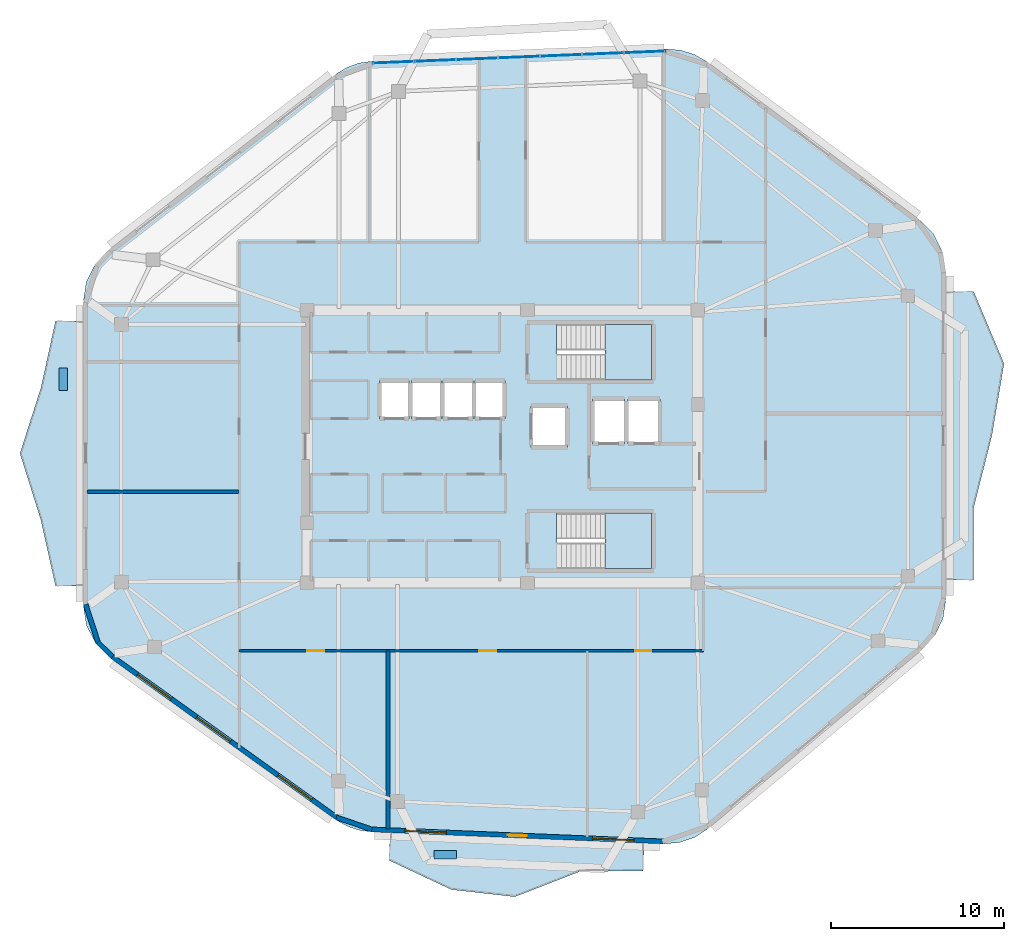
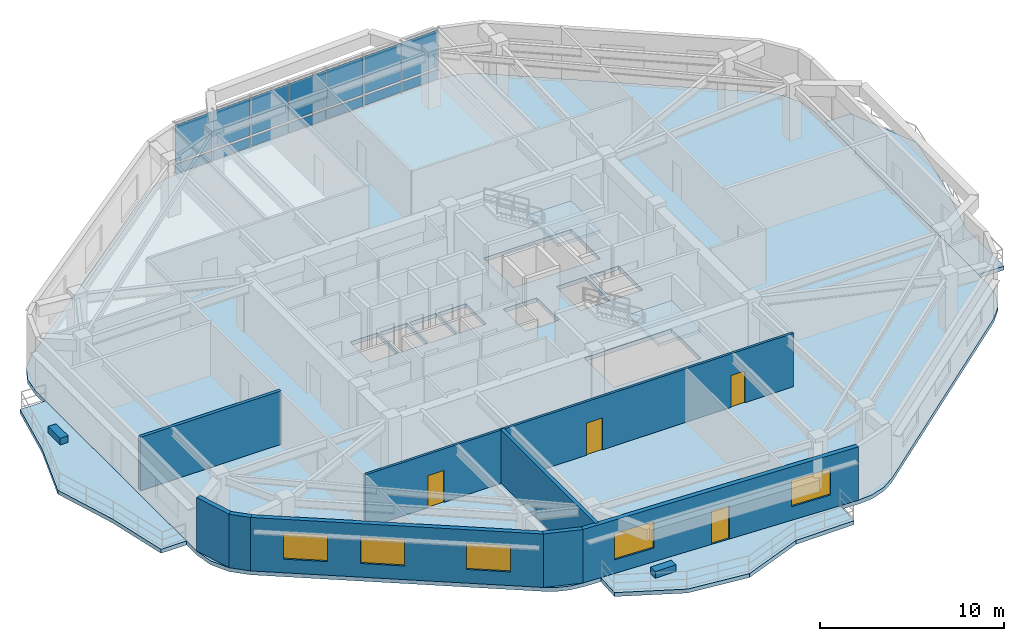
# One storey, part 5 of 12: 16 plates, 8 walls, 6 slabs, 5 windows, 4 doors, 9 openings, 3 elements without a shape of their own.
"""IFC4 building model written with IfcOpenShell, lengths in metres."""

from ifc_helpers import new_model, si_unit, direction, frame, frame_2d, origin, origin_2d, place, context, subcontext, project, spatial, polyline, rectangle, outline, extrude, material, layer, layer_set, type_object, element, fill, aggregate, save


model = new_model("IFC4")

# Units and contexts
model_context = context("Model", 3, precision=1e-05, world=origin(), true_north=direction((0.0, 1.0)))
body_context = subcontext(model_context, "Body", "Model", "MODEL_VIEW")
ifc_project = project(units=[si_unit("LENGTHUNIT", "METRE"), si_unit("AREAUNIT", "SQUARE_METRE"), si_unit("VOLUMEUNIT", "CUBIC_METRE"), si_unit("PLANEANGLEUNIT", "RADIAN"), si_unit("MASSUNIT", "GRAM", prefix="KILO")], contexts=[model_context])

# Site, building, storey
site_placement = place(None, origin())
site = spatial("IfcSite", under=ifc_project, at=site_placement, CompositionType="ELEMENT")
building_placement = place(site_placement, origin())
building = spatial("IfcBuilding", under=site, at=building_placement, Name="Zulverin Broadcast Headquarters", CompositionType="ELEMENT")
storey_placement = place(building_placement, frame((0.0, 0.0, 293.39990234375)))
storey = spatial("IfcBuildingStorey", under=building, at=storey_placement, Name="L75", CompositionType="ELEMENT", Elevation=293.39990234375)

# Curtain wall, plates
ifc_material_1 = material(Name="High-zone solar-control unitised curtain wall", Category="aluminium")
curtain_wall_type = type_object("IfcCurtainWallType", Name="CW-TWR-UPP", PredefinedType="USERDEFINED", material=ifc_material_1)
curtain_wall_placement = place(storey_placement, origin())
curtain_wall = element("IfcCurtainWall", 1, at=curtain_wall_placement, inside=storey, type_object=curtain_wall_type, Name="L75 Unitised Curtain Wall CW-L75-E5", ObjectType="UNITISED CURTAIN WALL", PredefinedType="USERDEFINED")
ifc_material_2 = material(Name="Low-E double-glazed pale-silver vision glass", Category="glass")
ifc_layer_1 = layer(ifc_material_2, 0.035888671875, Name="Low-E double-glazed pale-silver vision glass", Category="glass")
ifc_layer_set_1 = layer_set([ifc_layer_1], Name="Low-E double-glazed pale-silver vision glass")
plate_type_1 = type_object("IfcPlateType", Name="CW-PNL-GLZ", PredefinedType="CURTAIN_PANEL", material=ifc_layer_set_1)
plate_1_placement = place(storey_placement, frame((45.205078125, 47.975341796875, 0.914794921875), z_axis=(0.0, 0.0, 1.0), x_axis=(-0.999156343069, -0.041068261531, 0.0)))
plate_1 = element("IfcPlate", 2, at=plate_1_placement, type_object=plate_type_1, Name="CW-L75-E5 Vision Panel 00", PredefinedType="CURTAIN_PANEL", context=body_context, shape_type="SweptSolid", body=[
    extrude(rectangle(XDim=2.377685546875, YDim=0.035888671875, at=origin_2d()), origin(), (0.0, 0.0, 1.0), 2.4853515625),
])
plate_2_placement = place(storey_placement, frame((42.78955078125, 47.8759765625, 0.914794921875), z_axis=(0.0, 0.0, 1.0), x_axis=(-0.999156343069, -0.041068261531, 0.0)))
plate_2 = element("IfcPlate", 3, at=plate_2_placement, type_object=plate_type_1, Name="CW-L75-E5 Vision Panel 01", PredefinedType="CURTAIN_PANEL", context=body_context, shape_type="SweptSolid", body=[
    extrude(rectangle(XDim=2.377685546875, YDim=0.035888671875, at=origin_2d()), origin(), (0.0, 0.0, 1.0), 2.4853515625),
])
plate_3_placement = place(storey_placement, frame((40.3740234375, 47.776611328125, 0.914794921875), z_axis=(0.0, 0.0, 1.0), x_axis=(-0.999156343069, -0.041068261531, 0.0)))
plate_3 = element("IfcPlate", 4, at=plate_3_placement, type_object=plate_type_1, Name="CW-L75-E5 Vision Panel 02", PredefinedType="CURTAIN_PANEL", context=body_context, shape_type="SweptSolid", body=[
    extrude(rectangle(XDim=2.377685546875, YDim=0.035888671875, at=origin_2d()), origin(), (0.0, 0.0, 1.0), 2.4853515625),
])
plate_4_placement = place(storey_placement, frame((37.95849609375, 47.677490234375, 0.914794921875), z_axis=(0.0, 0.0, 1.0), x_axis=(-0.999156343069, -0.041068261531, 0.0)))
plate_4 = element("IfcPlate", 5, at=plate_4_placement, type_object=plate_type_1, Name="CW-L75-E5 Vision Panel 03", PredefinedType="CURTAIN_PANEL", context=body_context, shape_type="SweptSolid", body=[
    extrude(rectangle(XDim=2.377685546875, YDim=0.035888671875, at=origin_2d()), origin(), (0.0, 0.0, 1.0), 2.4853515625),
])
plate_5_placement = place(storey_placement, frame((35.54296875, 47.578125, 0.914794921875), z_axis=(0.0, 0.0, 1.0), x_axis=(-0.999156343069, -0.041068261531, 0.0)))
plate_5 = element("IfcPlate", 6, at=plate_5_placement, type_object=plate_type_1, Name="CW-L75-E5 Vision Panel 04", PredefinedType="CURTAIN_PANEL", context=body_context, shape_type="SweptSolid", body=[
    extrude(rectangle(XDim=2.377685546875, YDim=0.035888671875, at=origin_2d()), origin(), (0.0, 0.0, 1.0), 2.4853515625),
])
plate_6_placement = place(storey_placement, frame((33.12744140625, 47.478759765625, 0.914794921875), z_axis=(0.0, 0.0, 1.0), x_axis=(-0.999156343069, -0.041068261531, 0.0)))
plate_6 = element("IfcPlate", 7, at=plate_6_placement, type_object=plate_type_1, Name="CW-L75-E5 Vision Panel 05", PredefinedType="CURTAIN_PANEL", context=body_context, shape_type="SweptSolid", body=[
    extrude(rectangle(XDim=2.377685546875, YDim=0.035888671875, at=origin_2d()), origin(), (0.0, 0.0, 1.0), 2.4853515625),
])
plate_7_placement = place(storey_placement, frame((30.7119140625, 47.37939453125, 0.914794921875), z_axis=(0.0, 0.0, 1.0), x_axis=(-0.999156343069, -0.041068261531, 0.0)))
plate_7 = element("IfcPlate", 8, at=plate_7_placement, type_object=plate_type_1, Name="CW-L75-E5 Vision Panel 06", PredefinedType="CURTAIN_PANEL", context=body_context, shape_type="SweptSolid", body=[
    extrude(rectangle(XDim=2.377685546875, YDim=0.035888671875, at=origin_2d()), origin(), (0.0, 0.0, 1.0), 2.4853515625),
])
ifc_material_3 = material(Name="Insulated brushed pale-aluminium spandrel cassette", Category="aluminium")
ifc_layer_2 = layer(ifc_material_3, 0.050048828125, Name="Insulated brushed pale-aluminium spandrel cassette", Category="aluminium")
ifc_layer_set_2 = layer_set([ifc_layer_2], Name="Insulated brushed pale-aluminium spandrel cassette")
plate_type_2 = type_object("IfcPlateType", Name="CW-PNL-SPN", PredefinedType="CURTAIN_PANEL", material=ifc_layer_set_2)
plate_8_placement = place(storey_placement, frame((45.205078125, 47.975341796875, 0.14013671875), z_axis=(0.0, 0.0, 1.0), x_axis=(-0.999156343069, -0.041068261531, 0.0)))
plate_8 = element("IfcPlate", 9, at=plate_8_placement, type_object=plate_type_2, Name="CW-L75-E5 Spandrel Cassette 00", PredefinedType="CURTAIN_PANEL", context=body_context, shape_type="SweptSolid", body=[
    extrude(rectangle(XDim=2.377685546875, YDim=0.050048828125, at=origin_2d()), origin(), (0.0, 0.0, 1.0), 0.64453125),
])
plate_9_placement = place(storey_placement, frame((42.78955078125, 47.8759765625, 0.14013671875), z_axis=(0.0, 0.0, 1.0), x_axis=(-0.999156343069, -0.041068261531, 0.0)))
plate_9 = element("IfcPlate", 10, at=plate_9_placement, type_object=plate_type_2, Name="CW-L75-E5 Spandrel Cassette 01", PredefinedType="CURTAIN_PANEL", context=body_context, shape_type="SweptSolid", body=[
    extrude(rectangle(XDim=2.377685546875, YDim=0.050048828125, at=origin_2d()), origin(), (0.0, 0.0, 1.0), 0.64453125),
])
plate_10_placement = place(storey_placement, frame((40.3740234375, 47.776611328125, 0.14013671875), z_axis=(0.0, 0.0, 1.0), x_axis=(-0.999156343069, -0.041068261531, 0.0)))
plate_10 = element("IfcPlate", 11, at=plate_10_placement, type_object=plate_type_2, Name="CW-L75-E5 Spandrel Cassette 02", PredefinedType="CURTAIN_PANEL", context=body_context, shape_type="SweptSolid", body=[
    extrude(rectangle(XDim=2.377685546875, YDim=0.050048828125, at=origin_2d()), origin(), (0.0, 0.0, 1.0), 0.64453125),
])
plate_11_placement = place(storey_placement, frame((37.95849609375, 47.677490234375, 0.14013671875), z_axis=(0.0, 0.0, 1.0), x_axis=(-0.999156343069, -0.041068261531, 0.0)))
plate_11 = element("IfcPlate", 12, at=plate_11_placement, type_object=plate_type_2, Name="CW-L75-E5 Spandrel Cassette 03", PredefinedType="CURTAIN_PANEL", context=body_context, shape_type="SweptSolid", body=[
    extrude(rectangle(XDim=2.377685546875, YDim=0.050048828125, at=origin_2d()), origin(), (0.0, 0.0, 1.0), 0.64453125),
])
plate_12_placement = place(storey_placement, frame((35.54296875, 47.578125, 0.14013671875), z_axis=(0.0, 0.0, 1.0), x_axis=(-0.999156343069, -0.041068261531, 0.0)))
plate_12 = element("IfcPlate", 13, at=plate_12_placement, type_object=plate_type_2, Name="CW-L75-E5 Spandrel Cassette 04", PredefinedType="CURTAIN_PANEL", context=body_context, shape_type="SweptSolid", body=[
    extrude(rectangle(XDim=2.377685546875, YDim=0.050048828125, at=origin_2d()), origin(), (0.0, 0.0, 1.0), 0.64453125),
])
plate_13_placement = place(storey_placement, frame((33.12744140625, 47.478759765625, 0.14013671875), z_axis=(0.0, 0.0, 1.0), x_axis=(-0.999156343069, -0.041068261531, 0.0)))
plate_13 = element("IfcPlate", 14, at=plate_13_placement, type_object=plate_type_2, Name="CW-L75-E5 Spandrel Cassette 05", PredefinedType="CURTAIN_PANEL", context=body_context, shape_type="SweptSolid", body=[
    extrude(rectangle(XDim=2.377685546875, YDim=0.050048828125, at=origin_2d()), origin(), (0.0, 0.0, 1.0), 0.64453125),
])
plate_14_placement = place(storey_placement, frame((30.7119140625, 47.37939453125, 0.14013671875), z_axis=(0.0, 0.0, 1.0), x_axis=(-0.999156343069, -0.041068261531, 0.0)))
plate_14 = element("IfcPlate", 15, at=plate_14_placement, type_object=plate_type_2, Name="CW-L75-E5 Spandrel Cassette 06", PredefinedType="CURTAIN_PANEL", context=body_context, shape_type="SweptSolid", body=[
    extrude(rectangle(XDim=2.377685546875, YDim=0.050048828125, at=origin_2d()), origin(), (0.0, 0.0, 1.0), 0.64453125),
])
aggregate(curtain_wall, [plate_8, plate_1, plate_9, plate_2, plate_10, plate_3, plate_11, plate_4, plate_12, plate_5, plate_13, plate_6, plate_14, plate_7])

# Plates
ifc_material_4 = material(Name="Precast concrete C45/55", Category="concrete")
ifc_layer_3 = layer(ifc_material_4, 0.449951171875, Name="Precast concrete C45/55", Category="concrete")
ifc_layer_set_3 = layer_set([ifc_layer_3], Name="Precast concrete C45/55")
plate_type_3 = type_object("IfcPlateType", Name="PT-01_PRECAST_GFRC_TREE_PLANTER", PredefinedType="USERDEFINED", material=ifc_layer_set_3)
for number, where, z_axis, x_axis, name in (
    (16, (33.700439453125, 1.626708984375, -0.0048828125), (0.0, 0.0, 1.0), (1.0, 0.0, 0.0), "L75 Precast GFRC Tree Planter BAL_S"),
    (17, (11.64990234375, 29.082763671875, -0.0048828125), (0.0, 0.0, 1.0), (0.0, 1.0, 0.0), "L75 Precast GFRC Tree Planter BAL_W"),
):
    element("IfcPlate", number, at=place(storey_placement, frame(where, z_axis=z_axis, x_axis=x_axis)), inside=storey, type_object=plate_type_3, Name=name, ObjectType="PLANTER", PredefinedType="USERDEFINED", context=body_context, shape_type="SweptSolid", body=[
        extrude(rectangle(XDim=1.300048828125, YDim=0.5, at=origin_2d()), origin(), (0.0, 0.0, 1.0), 0.449951171875),
    ])

# Slabs
ifc_material_5 = material(Name="Concrete C40/50", Category="concrete")
ifc_layer_4 = layer(ifc_material_5, 0.260009765625, Name="Concrete C40/50", Category="concrete")
ifc_layer_set_4 = layer_set([ifc_layer_4], Name="Concrete C40/50")
slab_type_1 = type_object("IfcSlabType", Name="SLB-BAL-260", PredefinedType="FLOOR", material=ifc_layer_set_4)
slab_1_placement = place(storey_placement, frame((0.0, 0.0, -0.260009765625)))
element("IfcSlab", 18, at=slab_1_placement, inside=storey, type_object=slab_type_1, Name="L75 Cantilevered Planted Balcony Slab BAL_E", PredefinedType="FLOOR", context=body_context, shape_type="SweptSolid", body=[
    extrude(outline(polyline([(62.60009765625, 34.150146484375), (62.60009765625, 17.49560546875), (64.199951171875, 17.49560546875), (64.199951171875, 21.6591796875), (65.25390625, 25.82275390625), (65.9541015625, 29.986328125), (64.199951171875, 34.150146484375), (62.60009765625, 34.150146484375)])), origin(), (0.0, 0.0, 1.0), 0.260009765625),
])
slab_2_placement = place(storey_placement, frame((0.0, 0.0, -0.260009765625)))
element("IfcSlab", 19, at=slab_2_placement, inside=storey, type_object=slab_type_1, Name="L75 Cantilevered Planted Balcony Slab BAL_S", PredefinedType="FLOOR", context=body_context, shape_type="SweptSolid", body=[
    extrude(outline(polyline([(45.185302734375, 2.305419921875), (30.521728515625, 2.908203125), (30.4560546875, 1.3095703125), (34.05859375, -0.380615234375), (37.7138671875, -0.79296875), (41.445556640625, 0.658203125), (45.11962890625, 0.706787109375), (45.185302734375, 2.305419921875)])), origin(), (0.0, 0.0, 1.0), 0.260009765625),
])
slab_3_placement = place(storey_placement, frame((0.0, 0.0, -0.260009765625)))
element("IfcSlab", 20, at=slab_3_placement, inside=storey, type_object=slab_type_1, Name="L75 Cantilevered Planted Balcony Slab BAL_W", PredefinedType="FLOOR", context=body_context, shape_type="SweptSolid", body=[
    extrude(outline(polyline([(12.800048828125, 17.151611328125), (12.800048828125, 32.447998046875), (11.199951171875, 32.447998046875), (10.368408203125, 28.623779296875), (9.14990234375, 24.7998046875), (10.349853515625, 20.975830078125), (11.199951171875, 17.151611328125), (12.800048828125, 17.151611328125)])), origin(), (0.0, 0.0, 1.0), 0.260009765625),
])

# Stair, slab
stair_type = type_object("IfcStairType", Name="ST-CORE-1500", PredefinedType="HALF_TURN_STAIR", material=ifc_material_5)
stair_1_placement = place(storey_placement, origin())
stair_1 = element("IfcStair", 21, at=stair_1_placement, inside=storey, type_object=stair_type, Name="L75 Core Exit Stair ST-1", PredefinedType="HALF_TURN_STAIR")
ifc_layer_5 = layer(ifc_material_5, 0.199951171875, Name="Concrete C40/50", Category="concrete")
ifc_layer_set_5 = layer_set([ifc_layer_5], Name="Concrete C40/50")
slab_type_2 = type_object("IfcSlabType", Name="SLB-ST-LND200", PredefinedType="LANDING", material=ifc_layer_set_5)
slab_4_placement = place(storey_placement, frame((0.0, 0.0, 1.7001953125)))
slab_4 = element("IfcSlab", 22, at=slab_4_placement, type_object=slab_type_2, Name="ST-1 landing 1", PredefinedType="LANDING", context=body_context, shape_type="SweptSolid", body=[
    extrude(outline(polyline([(42.929931640625, 29.050048828125), (45.60009765625, 29.050048828125), (45.60009765625, 32.25), (42.929931640625, 32.25), (42.929931640625, 29.050048828125)])), origin(), (0.0, 0.0, 1.0), 0.199951171875),
])
aggregate(stair_1, [slab_4])

stair_2_placement = place(storey_placement, origin())
stair_2 = element("IfcStair", 23, at=stair_2_placement, inside=storey, type_object=stair_type, Name="L75 Core Exit Stair ST-2", PredefinedType="HALF_TURN_STAIR")
slab_5_placement = place(storey_placement, frame((0.0, 0.0, 1.7001953125)))
slab_5 = element("IfcSlab", 24, at=slab_5_placement, type_object=slab_type_2, Name="ST-2 landing 1", PredefinedType="LANDING", context=body_context, shape_type="SweptSolid", body=[
    extrude(outline(polyline([(42.929931640625, 18.14990234375), (45.60009765625, 18.14990234375), (45.60009765625, 21.35009765625), (42.929931640625, 21.35009765625), (42.929931640625, 18.14990234375)])), origin(), (0.0, 0.0, 1.0), 0.199951171875),
])
aggregate(stair_2, [slab_5])

# Slab
ifc_layer_6 = layer(ifc_material_5, 0.260009765625, Name="Concrete C40/50", Category="concrete")
ifc_layer_set_6 = layer_set([ifc_layer_6], Name="Concrete C40/50")
slab_type_3 = type_object("IfcSlabType", Name="SLB-TWR-260", PredefinedType="FLOOR", material=ifc_layer_set_6)
slab_6_placement = place(storey_placement, frame((0.0, 0.0, -0.260009765625)))
element("IfcSlab", 25, at=slab_6_placement, inside=storey, type_object=slab_type_3, Name="L75 Main Structural Floor Slab", PredefinedType="FLOOR", context=body_context, shape_type="SweptSolid", body=[
    extrude(outline(polyline([(27.364990234375, 3.66162109375), (28.00048828125, 3.293212890625), (28.695068359375, 3.05419921875), (29.422607421875, 2.953369140625), (46.284423828125, 2.26025390625), (47.21337890625, 2.33642578125), (48.095703125, 2.63671875), (48.878662109375, 3.142333984375), (61.238037109375, 13.480712890625), (61.97265625, 14.30419921875), (62.439697265625, 15.3037109375), (62.60009765625, 16.3955078125), (62.60009765625, 35.25), (62.418212890625, 36.4111328125), (61.890625, 37.4609375), (61.0673828125, 38.299560546875), (48.831298828125, 47.3974609375), (48.087646484375, 47.8291015625), (47.265869140625, 48.08251953125), (46.407958984375, 48.144775390625), (29.499267578125, 47.44970703125), (28.726318359375, 47.337646484375), (27.992919921875, 47.070068359375), (27.329345703125, 46.657958984375), (14.274169921875, 36.552978515625), (13.481201171875, 35.71875), (12.974365234375, 34.685546875), (12.800048828125, 33.548095703125), (12.800048828125, 16.0517578125), (12.988525390625, 14.86962890625), (13.535400390625, 13.804931640625), (14.386474609375, 12.963134765625), (27.364990234375, 3.66162109375)]), holes=[polyline([(40.155029296875, 30.75), (40.130126953125, 30.75), (40.130126953125, 32.25), (45.60009765625, 32.25), (45.60009765625, 29.050048828125), (40.155029296875, 29.050048828125), (40.155029296875, 30.75)]), polyline([(40.155029296875, 19.85009765625), (40.130126953125, 19.85009765625), (40.130126953125, 21.35009765625), (45.60009765625, 21.35009765625), (45.60009765625, 18.14990234375), (40.155029296875, 18.14990234375), (40.155029296875, 19.85009765625)]), polyline([(29.89990234375, 26.800048828125), (31.6201171875, 26.800048828125), (31.6201171875, 29.0), (29.89990234375, 29.0), (29.89990234375, 26.800048828125)]), polyline([(31.739990234375, 26.800048828125), (33.4599609375, 26.800048828125), (33.4599609375, 29.0), (31.739990234375, 29.0), (31.739990234375, 26.800048828125)]), polyline([(33.580078125, 26.800048828125), (35.300048828125, 26.800048828125), (35.300048828125, 29.0), (33.580078125, 29.0), (33.580078125, 26.800048828125)]), polyline([(35.419921875, 26.800048828125), (37.139892578125, 26.800048828125), (37.139892578125, 29.0), (35.419921875, 29.0), (35.419921875, 26.800048828125)]), polyline([(42.199951171875, 25.35009765625), (44.050048828125, 25.35009765625), (44.050048828125, 27.949951171875), (42.199951171875, 27.949951171875), (42.199951171875, 25.35009765625)]), polyline([(44.25, 25.35009765625), (46.10009765625, 25.35009765625), (46.10009765625, 27.949951171875), (44.25, 27.949951171875), (44.25, 25.35009765625)]), polyline([(38.64990234375, 25.14990234375), (40.75, 25.14990234375), (40.75, 27.550048828125), (38.64990234375, 27.550048828125), (38.64990234375, 25.14990234375)])]), origin(), (0.0, 0.0, 1.0), 0.260009765625),
])

# Walls
ifc_material_6 = material(Name="Acoustic drywall steel stud", Category="steel")
ifc_layer_7 = layer(ifc_material_6, 0.199951171875, Name="Acoustic drywall steel stud", Category="steel")
ifc_layer_set_7 = layer_set([ifc_layer_7], Name="Acoustic drywall steel stud")
wall_type_1 = type_object("IfcWallType", Name="WL-ACOU-200", PredefinedType="PARTITIONING", material=ifc_layer_set_7)
wall_1_placement = place(storey_placement, frame((13.0048828125, 22.60009765625, 0.0), z_axis=(0.0, 0.0, 1.0), x_axis=(1.0, 0.0, 0.0)))
element("IfcWall", 26, at=wall_1_placement, inside=storey, type_object=wall_type_1, Name="L75 Room Partition Wall RP-12", PredefinedType="PARTITIONING", context=body_context, shape_type="SweptSolid", body=[
    extrude(rectangle(XDim=8.795166015625, YDim=0.199951171875, at=frame_2d((4.3974609375, 0.0))), origin(), (0.0, 0.0, 1.0), 3.5400390625),
])
ifc_material_7 = material(Name="Double-stud acoustic drywall", Category="gypsum")
ifc_layer_8 = layer(ifc_material_7, 0.219970703125, Name="Double-stud acoustic drywall", Category="gypsum")
ifc_layer_set_8 = layer_set([ifc_layer_8], Name="Double-stud acoustic drywall")
wall_type_2 = type_object("IfcWallType", Name="WL-ACOU-220", PredefinedType="PARTITIONING", material=ifc_layer_set_8)
wall_2_placement = place(storey_placement, frame((30.39990234375, 3.1181640625, 0.0), z_axis=(0.0, 0.0, 1.0), x_axis=(0.0, 1.0, 0.0)))
element("IfcWall", 27, at=wall_2_placement, inside=storey, type_object=wall_type_2, Name="L75 Room Partition Wall RP-07", PredefinedType="PARTITIONING", context=body_context, shape_type="SweptSolid", body=[
    extrude(rectangle(XDim=10.28173828125, YDim=0.219970703125, at=frame_2d((5.140869140625, 0.0))), origin(), (0.0, 0.0, 1.0), 3.5400390625),
])

# Wall, openings, door, windows
ifc_material_8 = material(Name="Insulated pale-metal clad concrete spandrel C40/50", Category="concrete")
ifc_layer_9 = layer(ifc_material_8, 0.280029296875, Name="Insulated pale-metal clad concrete spandrel C40/50", Category="concrete")
ifc_layer_set_9 = layer_set([ifc_layer_9], Name="Insulated pale-metal clad concrete spandrel C40/50")
wall_type_3 = type_object("IfcWallType", Name="WL-EXT-280", PredefinedType="STANDARD", material=ifc_layer_set_9)
wall_3_placement = place(storey_placement, frame((29.42822265625, 3.09326171875, 0.0), z_axis=(0.0, 0.0, 1.0), x_axis=(0.999156257967, -0.041070331944, 0.0)))
wall_3 = element("IfcWall", 28, at=wall_3_placement, inside=storey, type_object=wall_type_3, Name="L75 Pale-Metal Clad Spandrel Wall 1", PredefinedType="STANDARD", context=body_context, shape_type="SweptSolid", body=[
    extrude(rectangle(XDim=16.876220703125, YDim=0.280029296875, at=frame_2d((8.43798828125, 0.0))), origin(), (0.0, 0.0, 1.0), 3.5400390625),
])
opening_1_placement = place(wall_3_placement, frame((7.88818359375, 0.0, 0.0)))
opening_1 = element("IfcOpeningElement", 29, at=opening_1_placement, cuts=wall_3, Name="Opening D-L75-TR1", PredefinedType="OPENING", context=body_context, shape_type="SweptSolid", body=[
    extrude(rectangle(XDim=1.10009765625, YDim=2.199951171875, at=frame_2d((0.550048828125, 1.10009765625))), frame((0.0, 0.14990234375, 0.0), z_axis=(0.0, -1.0, 0.0), x_axis=(1.0, 0.0, 0.0)), (0.0, 0.0, 1.0), 0.300048828125),
])
opening_2_placement = place(wall_3_placement, frame((1.946044921875, 0.0, 0.89990234375)))
opening_2 = element("IfcOpeningElement", 30, at=opening_2_placement, cuts=wall_3, Name="Opening W-L75-E11", PredefinedType="OPENING", context=body_context, shape_type="SweptSolid", body=[
    extrude(rectangle(XDim=2.39990234375, YDim=1.75, at=frame_2d((1.199951171875, 0.875))), frame((0.0, 0.14990234375, 0.0), z_axis=(0.0, -1.0, 0.0), x_axis=(1.0, 0.0, 0.0)), (0.0, 0.0, 1.0), 0.300048828125),
])
opening_3_placement = place(wall_3_placement, frame((12.780029296875, 0.0, 0.89990234375)))
opening_3 = element("IfcOpeningElement", 31, at=opening_3_placement, cuts=wall_3, Name="Opening W-L75-E12", PredefinedType="OPENING", context=body_context, shape_type="SweptSolid", body=[
    extrude(rectangle(XDim=2.39990234375, YDim=1.75, at=frame_2d((1.199951171875, 0.875))), frame((0.0, 0.14990234375, 0.0), z_axis=(0.0, -1.0, 0.0), x_axis=(1.0, 0.0, 0.0)), (0.0, 0.0, 1.0), 0.300048828125),
])
ifc_material_9 = material(Name="Thermally broken aluminium glazed", Category="aluminium")
door_type_1 = type_object("IfcDoorType", Name="DR-TERR-1100", OperationType="SINGLE_SWING_RIGHT", PredefinedType="DOOR", material=ifc_material_9)
door_1_placement = place(opening_1_placement, origin())
door_1 = element("IfcDoor", 32, at=door_1_placement, inside=storey, type_object=door_type_1, Name="L75 Planted Terrace Glazed Access Door 1", OperationType="SINGLE_SWING_RIGHT", OverallHeight=2.199951171875, OverallWidth=1.10009765625, PredefinedType="DOOR", context=body_context, shape_type="SweptSolid", body=[
    extrude(rectangle(XDim=1.10009765625, YDim=2.199951171875, at=frame_2d((0.550048828125, 1.10009765625))), frame((0.0, 0.02490234375, 0.0), z_axis=(0.0, -1.0, 0.0), x_axis=(1.0, 0.0, 0.0)), (0.0, 0.0, 1.0), 0.050048828125),
])
fill(opening_1, door_1)
ifc_material_10 = material(Name="Pale anodized aluminium frame with solar-control low-E double glazing", Category="aluminium")
window_type = type_object("IfcWindowType", Name="WIN-RIB-2400", PartitioningType="SINGLE_PANEL", PredefinedType="WINDOW", material=ifc_material_10)
window_1_placement = place(opening_2_placement, origin())
window_1 = element("IfcWindow", 33, at=window_1_placement, inside=storey, type_object=window_type, Name="L75 Ribbon Glazing Window 1 1", OverallHeight=1.75, OverallWidth=2.39990234375, PartitioningType="SINGLE_PANEL", PredefinedType="WINDOW", context=body_context, shape_type="SweptSolid", body=[
    extrude(rectangle(XDim=2.39990234375, YDim=1.75, at=frame_2d((1.199951171875, 0.875))), frame((0.0, 0.030029296875, 0.0), z_axis=(0.0, -1.0, 0.0), x_axis=(1.0, 0.0, 0.0)), (0.0, 0.0, 1.0), 0.06005859375),
])
fill(opening_2, window_1)
window_2_placement = place(opening_3_placement, origin())
window_2 = element("IfcWindow", 34, at=window_2_placement, inside=storey, type_object=window_type, Name="L75 Ribbon Glazing Window 1 2", OverallHeight=1.75, OverallWidth=2.39990234375, PartitioningType="SINGLE_PANEL", PredefinedType="WINDOW", context=body_context, shape_type="SweptSolid", body=[
    extrude(rectangle(XDim=2.39990234375, YDim=1.75, at=frame_2d((1.199951171875, 0.875))), frame((0.0, 0.030029296875, 0.0), z_axis=(0.0, -1.0, 0.0), x_axis=(1.0, 0.0, 0.0)), (0.0, 0.0, 1.0), 0.06005859375),
])
fill(opening_3, window_2)

# Wall, openings, windows
wall_4_placement = place(storey_placement, frame((14.468017578125, 13.076904296875, 0.0), z_axis=(0.0, 0.0, 1.0), x_axis=(0.812809888039, -0.582529042972, 0.0)))
wall_4 = element("IfcWall", 35, at=wall_4_placement, inside=storey, type_object=wall_type_3, Name="L75 Pale-Metal Clad Spandrel Wall 8", PredefinedType="STANDARD", context=body_context, shape_type="SweptSolid", body=[
    extrude(rectangle(XDim=15.967529296875, YDim=0.280029296875, at=frame_2d((7.98388671875, 0.0))), origin(), (0.0, 0.0, 1.0), 3.5400390625),
])
opening_4_placement = place(wall_4_placement, frame((1.794677734375, 0.0, 0.89990234375)))
opening_4 = element("IfcOpeningElement", 36, at=opening_4_placement, cuts=wall_4, Name="Opening W-L75-E81", PredefinedType="OPENING", context=body_context, shape_type="SweptSolid", body=[
    extrude(rectangle(XDim=2.39990234375, YDim=1.75, at=frame_2d((1.199951171875, 0.875))), frame((0.0, 0.14990234375, 0.0), z_axis=(0.0, -1.0, 0.0), x_axis=(1.0, 0.0, 0.0)), (0.0, 0.0, 1.0), 0.300048828125),
])
opening_5_placement = place(wall_4_placement, frame((6.00390625, 0.0, 0.89990234375)))
opening_5 = element("IfcOpeningElement", 37, at=opening_5_placement, cuts=wall_4, Name="Opening W-L75-E82", PredefinedType="OPENING", context=body_context, shape_type="SweptSolid", body=[
    extrude(rectangle(XDim=2.39990234375, YDim=1.75, at=frame_2d((1.199951171875, 0.875))), frame((0.0, 0.14990234375, 0.0), z_axis=(0.0, -1.0, 0.0), x_axis=(1.0, 0.0, 0.0)), (0.0, 0.0, 1.0), 0.300048828125),
])
opening_6_placement = place(wall_4_placement, frame((11.77294921875, 0.0, 0.89990234375)))
opening_6 = element("IfcOpeningElement", 38, at=opening_6_placement, cuts=wall_4, Name="Opening W-L75-E83", PredefinedType="OPENING", context=body_context, shape_type="SweptSolid", body=[
    extrude(rectangle(XDim=2.39990234375, YDim=1.75, at=frame_2d((1.199951171875, 0.875))), frame((0.0, 0.14990234375, 0.0), z_axis=(0.0, -1.0, 0.0), x_axis=(1.0, 0.0, 0.0)), (0.0, 0.0, 1.0), 0.300048828125),
])
window_3_placement = place(opening_4_placement, origin())
window_3 = element("IfcWindow", 39, at=window_3_placement, inside=storey, type_object=window_type, Name="L75 Ribbon Glazing Window 8 1", OverallHeight=1.75, OverallWidth=2.39990234375, PartitioningType="SINGLE_PANEL", PredefinedType="WINDOW", context=body_context, shape_type="SweptSolid", body=[
    extrude(rectangle(XDim=2.39990234375, YDim=1.75, at=frame_2d((1.199951171875, 0.875))), frame((0.0, 0.030029296875, 0.0), z_axis=(0.0, -1.0, 0.0), x_axis=(1.0, 0.0, 0.0)), (0.0, 0.0, 1.0), 0.06005859375),
])
fill(opening_4, window_3)
window_4_placement = place(opening_5_placement, origin())
window_4 = element("IfcWindow", 40, at=window_4_placement, inside=storey, type_object=window_type, Name="L75 Ribbon Glazing Window 8 2", OverallHeight=1.75, OverallWidth=2.39990234375, PartitioningType="SINGLE_PANEL", PredefinedType="WINDOW", context=body_context, shape_type="SweptSolid", body=[
    extrude(rectangle(XDim=2.39990234375, YDim=1.75, at=frame_2d((1.199951171875, 0.875))), frame((0.0, 0.030029296875, 0.0), z_axis=(0.0, -1.0, 0.0), x_axis=(1.0, 0.0, 0.0)), (0.0, 0.0, 1.0), 0.06005859375),
])
fill(opening_5, window_4)
window_5_placement = place(opening_6_placement, origin())
window_5 = element("IfcWindow", 41, at=window_5_placement, inside=storey, type_object=window_type, Name="L75 Ribbon Glazing Window 8 3", OverallHeight=1.75, OverallWidth=2.39990234375, PartitioningType="SINGLE_PANEL", PredefinedType="WINDOW", context=body_context, shape_type="SweptSolid", body=[
    extrude(rectangle(XDim=2.39990234375, YDim=1.75, at=frame_2d((1.199951171875, 0.875))), frame((0.0, 0.030029296875, 0.0), z_axis=(0.0, -1.0, 0.0), x_axis=(1.0, 0.0, 0.0)), (0.0, 0.0, 1.0), 0.06005859375),
])
fill(opening_6, window_5)

# Walls
wall_5_placement = place(storey_placement, frame((12.93310546875, 16.09521484375, 0.0), z_axis=(0.0, 0.0, 1.0), x_axis=(0.3110492363, -0.950393798695, 0.0)))
element("IfcWall", 42, at=wall_5_placement, inside=storey, type_object=wall_type_3, Name="L75 Wind-Shaped Corner Spandrel Wall 7-1", PredefinedType="STANDARD", context=body_context, shape_type="SweptSolid", body=[
    extrude(rectangle(XDim=2.364013671875, YDim=0.280029296875, at=frame_2d((1.18212890625, 0.0))), origin(), (0.0, 0.0, 1.0), 3.5400390625),
])
wall_6_placement = place(storey_placement, frame((13.6337890625, 13.904296875, 0.0), z_axis=(0.0, 0.0, 1.0), x_axis=(0.710971221429, -0.703221104845, 0.0)))
element("IfcWall", 43, at=wall_6_placement, inside=storey, type_object=wall_type_3, Name="L75 Wind-Shaped Corner Spandrel Wall 7-2", PredefinedType="STANDARD", context=body_context, shape_type="SweptSolid", body=[
    extrude(rectangle(XDim=1.197021484375, YDim=0.280029296875, at=frame_2d((0.5986328125, 0.0))), origin(), (0.0, 0.0, 1.0), 3.5400390625),
])
wall_7_placement = place(storey_placement, frame((27.41064453125, 3.7939453125, 0.0), z_axis=(0.0, 0.0, 1.0), x_axis=(0.945552869008, -0.325468542121, 0.0)))
element("IfcWall", 44, at=wall_7_placement, inside=storey, type_object=wall_type_3, Name="L75 Wind-Shaped Corner Spandrel Wall 8-1", PredefinedType="STANDARD", context=body_context, shape_type="SweptSolid", body=[
    extrude(rectangle(XDim=2.176025390625, YDim=0.280029296875, at=frame_2d((1.087890625, 0.0))), origin(), (0.0, 0.0, 1.0), 3.5400390625),
])

# Wall, openings, doors
ifc_material_11 = material(Name="Fire-rated gypsum stud partition", Category="gypsum")
ifc_layer_10 = layer(ifc_material_11, 0.14990234375, Name="Fire-rated gypsum stud partition", Category="gypsum")
ifc_layer_set_10 = layer_set([ifc_layer_10], Name="Fire-rated gypsum stud partition")
wall_type_4 = type_object("IfcWallType", Name="WL-PART-150", PredefinedType="PARTITIONING", material=ifc_layer_set_10)
wall_8_placement = place(storey_placement, frame((21.800048828125, 13.39990234375, 0.0), z_axis=(0.0, 0.0, 1.0), x_axis=(1.0, 0.0, 0.0)))
wall_8 = element("IfcWall", 45, at=wall_8_placement, inside=storey, type_object=wall_type_4, Name="L75 Gallery Partition Wall CG-10", PredefinedType="PARTITIONING", context=body_context, shape_type="SweptSolid", body=[
    extrude(rectangle(XDim=26.800048828125, YDim=0.14990234375, at=frame_2d((13.39990234375, 0.0))), origin(), (0.0, 0.0, 1.0), 3.5400390625),
])
opening_7_placement = place(wall_8_placement, frame((3.919921875, 0.0, 0.0)))
opening_7 = element("IfcOpeningElement", 46, at=opening_7_placement, cuts=wall_8, Name="Opening D-L75-05", PredefinedType="OPENING", context=body_context, shape_type="SweptSolid", body=[
    extrude(rectangle(XDim=1.0, YDim=2.1201171875, at=frame_2d((0.5, 1.06005859375))), frame((0.0, 0.0849609375, 0.0), z_axis=(0.0, -1.0, 0.0), x_axis=(1.0, 0.0, 0.0)), (0.0, 0.0, 1.0), 0.169921875),
])
opening_8_placement = place(wall_8_placement, frame((13.85009765625, 0.0, 0.0)))
opening_8 = element("IfcOpeningElement", 47, at=opening_8_placement, cuts=wall_8, Name="Opening D-L75-06", PredefinedType="OPENING", context=body_context, shape_type="SweptSolid", body=[
    extrude(rectangle(XDim=1.0, YDim=2.1201171875, at=frame_2d((0.5, 1.06005859375))), frame((0.0, 0.0849609375, 0.0), z_axis=(0.0, -1.0, 0.0), x_axis=(1.0, 0.0, 0.0)), (0.0, 0.0, 1.0), 0.169921875),
])
opening_9_placement = place(wall_8_placement, frame((22.8798828125, 0.0, 0.0)))
opening_9 = element("IfcOpeningElement", 48, at=opening_9_placement, cuts=wall_8, Name="Opening D-L75-07", PredefinedType="OPENING", context=body_context, shape_type="SweptSolid", body=[
    extrude(rectangle(XDim=0.89990234375, YDim=2.10009765625, at=frame_2d((0.449951171875, 1.050048828125))), frame((0.0, 0.0849609375, 0.0), z_axis=(0.0, -1.0, 0.0), x_axis=(1.0, 0.0, 0.0)), (0.0, 0.0, 1.0), 0.169921875),
])
ifc_material_12 = material(Name="Hardwood veneer acoustic leaf", Category="wood")
door_type_2 = type_object("IfcDoorType", Name="DR-OFF-1000", OperationType="SINGLE_SWING_LEFT", PredefinedType="DOOR", material=ifc_material_12)
door_2_placement = place(opening_7_placement, origin())
door_2 = element("IfcDoor", 49, at=door_2_placement, inside=storey, type_object=door_type_2, Name="L75 Controller Office Door", OperationType="SINGLE_SWING_RIGHT", OverallHeight=2.1201171875, OverallWidth=1.0, PredefinedType="DOOR", context=body_context, shape_type="SweptSolid", body=[
    extrude(rectangle(XDim=1.0, YDim=2.1201171875, at=frame_2d((0.5, 1.06005859375))), frame((0.0, 0.02490234375, 0.0), z_axis=(0.0, -1.0, 0.0), x_axis=(1.0, 0.0, 0.0)), (0.0, 0.0, 1.0), 0.050048828125),
])
fill(opening_7, door_2)
door_3_placement = place(opening_8_placement, origin())
door_3 = element("IfcDoor", 50, at=door_3_placement, inside=storey, type_object=door_type_2, Name="L75 Secretariat Office Door", OperationType="SINGLE_SWING_LEFT", OverallHeight=2.1201171875, OverallWidth=1.0, PredefinedType="DOOR", context=body_context, shape_type="SweptSolid", body=[
    extrude(rectangle(XDim=1.0, YDim=2.1201171875, at=frame_2d((0.5, 1.06005859375))), frame((0.0, 0.02490234375, 0.0), z_axis=(0.0, -1.0, 0.0), x_axis=(1.0, 0.0, 0.0)), (0.0, 0.0, 1.0), 0.050048828125),
])
fill(opening_8, door_3)
ifc_material_13 = material(Name="Fire-rated hardwood veneer timber leaf", Category="wood")
door_type_3 = type_object("IfcDoorType", Name="DR-ROOM-900", OperationType="SINGLE_SWING_RIGHT", PredefinedType="DOOR", material=ifc_material_13)
door_4_placement = place(opening_9_placement, origin())
door_4 = element("IfcDoor", 51, at=door_4_placement, inside=storey, type_object=door_type_3, Name="L75 Advisory Meeting Room Door", OperationType="SINGLE_SWING_RIGHT", OverallHeight=2.10009765625, OverallWidth=0.89990234375, PredefinedType="DOOR", context=body_context, shape_type="SweptSolid", body=[
    extrude(rectangle(XDim=0.89990234375, YDim=2.10009765625, at=frame_2d((0.449951171875, 1.050048828125))), frame((0.0, 0.02490234375, 0.0), z_axis=(0.0, -1.0, 0.0), x_axis=(1.0, 0.0, 0.0)), (0.0, 0.0, 1.0), 0.050048828125),
])
fill(opening_9, door_4)

save(model, "model.ifc")
